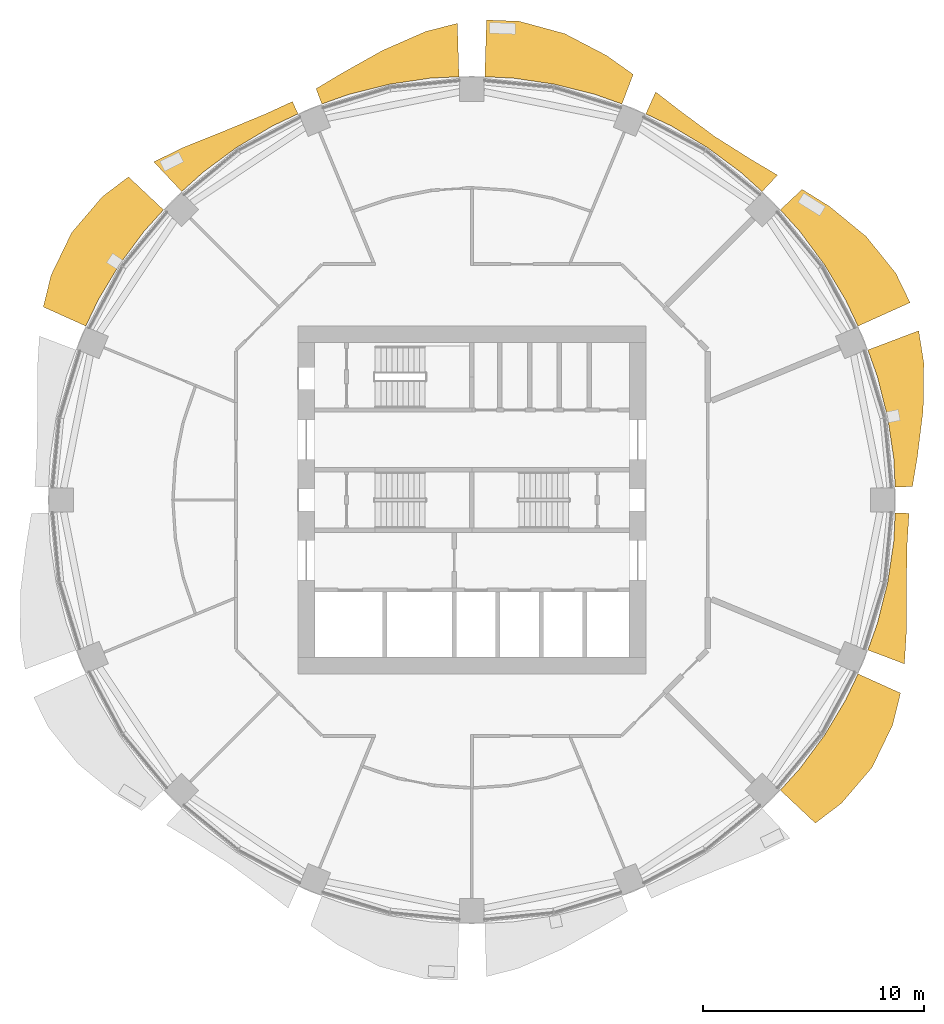
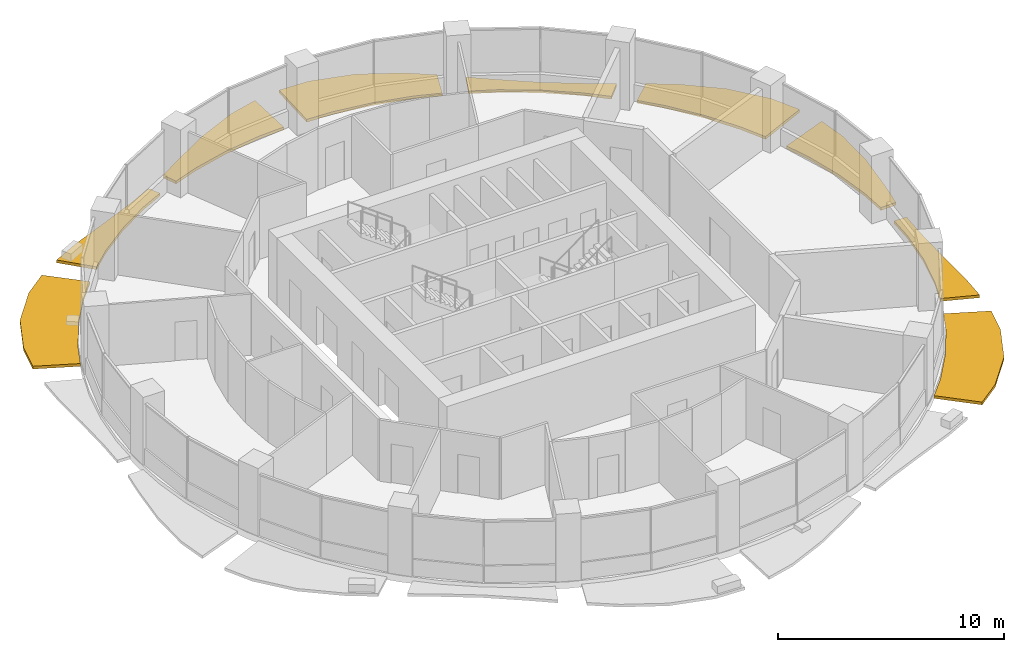
# One storey, part 13 of 14: 9 shading devices.
"""IFC4 building model written with IfcOpenShell, lengths in metres."""

from ifc_helpers import new_model, si_unit, direction, frame, origin, place, context, subcontext, project, spatial, polyline, outline, extrude, material, type_object, element, save


model = new_model("IFC4")

# Units and contexts
model_context = context("Model", 3, precision=1e-05, world=origin(), true_north=direction((0.0, 1.0)))
body_context = subcontext(model_context, "Body", "Model", "MODEL_VIEW")
ifc_project = project(units=[si_unit("LENGTHUNIT", "METRE"), si_unit("AREAUNIT", "SQUARE_METRE"), si_unit("VOLUMEUNIT", "CUBIC_METRE"), si_unit("PLANEANGLEUNIT", "RADIAN"), si_unit("MASSUNIT", "GRAM", prefix="KILO")], contexts=[model_context])

# Site, building, storey
site_placement = place(None, origin())
site = spatial("IfcSite", under=ifc_project, at=site_placement, CompositionType="ELEMENT")
building_placement = place(site_placement, origin())
building = spatial("IfcBuilding", under=site, at=building_placement, Name="Polderwave Tower", CompositionType="ELEMENT")
storey_placement = place(building_placement, frame((0.0, 0.0, 109.25)))
storey = spatial("IfcBuildingStorey", under=building, at=storey_placement, Name="L28", CompositionType="ELEMENT", Elevation=109.25)

# Shading devices
ifc_material = material(Name="Terracotta", Category="masonry")
shading_device_type = type_object("IfcShadingDeviceType", Name="Terracotta sunshade band", PredefinedType="USERDEFINED", material=ifc_material)
shading_device_1_placement = place(storey_placement, frame((0.0, 0.0, -0.35009765625)))
element("IfcShadingDevice", 1, at=shading_device_1_placement, inside=storey, type_object=shading_device_type, Name="Sunshade band L28 1", ObjectType="SUNSHADE", PredefinedType="USERDEFINED", context=body_context, shape_type="SweptSolid", body=[
    extrude(outline(polyline([(19.1513671875, 0.584228515625), (19.087646484375, 1.8798828125), (18.8115234375, 3.74169921875), (18.35400390625, 5.567626953125), (17.9169921875, 6.789306640625), (20.21728515625, 7.66064453125), (20.447998046875, 6.202880859375), (20.419677734375, 4.061767578125), (20.160400390625, 1.985595703125), (19.934326171875, 0.608154296875), (19.1513671875, 0.584228515625)])), origin(), (0.0, 0.0, 1.0), 0.150146484375),
])
shading_device_2_placement = place(storey_placement, frame((0.0, 0.0, -0.35009765625)))
element("IfcShadingDevice", 2, at=shading_device_2_placement, inside=storey, type_object=shading_device_type, Name="Sunshade band L28 2", ObjectType="SUNSHADE", PredefinedType="USERDEFINED", context=body_context, shape_type="SweptSolid", body=[
    extrude(outline(polyline([(17.469970703125, 7.86865234375), (16.915283203125, 9.04150390625), (15.947509765625, 10.65576171875), (14.826416015625, 12.167724609375), (13.955078125, 13.12890625), (14.940673828125, 14.05615234375), (16.183837890625, 13.28173828125), (17.842041015625, 11.921630859375), (19.183837890625, 10.25390625), (19.827392578125, 8.930419921875), (17.469970703125, 7.86865234375)])), origin(), (0.0, 0.0, 1.0), 0.150146484375),
])
shading_device_3_placement = place(storey_placement, frame((0.0, 0.0, -0.35009765625)))
element("IfcShadingDevice", 3, at=shading_device_3_placement, inside=storey, type_object=shading_device_type, Name="Sunshade band L28 3", ObjectType="SUNSHADE", PredefinedType="USERDEFINED", context=body_context, shape_type="SweptSolid", body=[
    extrude(outline(polyline([(13.12890625, 13.955078125), (12.167724609375, 14.826416015625), (10.65576171875, 15.947509765625), (9.04150390625, 16.915283203125), (7.86865234375, 17.469970703125), (8.31591796875, 18.463134765625), (9.414306640625, 17.613037109375), (10.989501953125, 16.447021484375), (12.6416015625, 15.40380859375), (13.829833984375, 14.7001953125), (13.12890625, 13.955078125)])), origin(), (0.0, 0.0, 1.0), 0.150146484375),
])
shading_device_4_placement = place(storey_placement, frame((0.0, 0.0, -0.35009765625)))
element("IfcShadingDevice", 4, at=shading_device_4_placement, inside=storey, type_object=shading_device_type, Name="Sunshade band L28 4", ObjectType="SUNSHADE", PredefinedType="USERDEFINED", context=body_context, shape_type="SweptSolid", body=[
    extrude(outline(polyline([(6.789306640625, 17.9169921875), (5.567626953125, 18.35400390625), (3.74169921875, 18.8115234375), (1.8798828125, 19.087646484375), (0.584228515625, 19.1513671875), (0.66259765625, 21.71923828125), (2.133544921875, 21.662841796875), (4.197265625, 21.101318359375), (6.10009765625, 20.10888671875), (7.296142578125, 19.2548828125), (6.789306640625, 17.9169921875)])), origin(), (0.0, 0.0, 1.0), 0.150146484375),
])
shading_device_5_placement = place(storey_placement, frame((0.0, 0.0, -0.35009765625)))
element("IfcShadingDevice", 5, at=shading_device_5_placement, inside=storey, type_object=shading_device_type, Name="Sunshade band L28 5", ObjectType="SUNSHADE", PredefinedType="USERDEFINED", context=body_context, shape_type="SweptSolid", body=[
    extrude(outline(polyline([(-0.584228515625, 19.1513671875), (-1.8798828125, 19.087646484375), (-3.74169921875, 18.8115234375), (-5.567626953125, 18.35400390625), (-6.789306640625, 17.9169921875), (-7.051513671875, 18.609375), (-5.861328125, 19.322509765625), (-4.046142578125, 20.341796875), (-2.087890625, 21.19970703125), (-0.657958984375, 21.56689453125), (-0.584228515625, 19.1513671875)])), origin(), (0.0, 0.0, 1.0), 0.150146484375),
])
shading_device_6_placement = place(storey_placement, frame((0.0, 0.0, -0.35009765625)))
element("IfcShadingDevice", 6, at=shading_device_6_placement, inside=storey, type_object=shading_device_type, Name="Sunshade band L28 6", ObjectType="SUNSHADE", PredefinedType="USERDEFINED", context=body_context, shape_type="SweptSolid", body=[
    extrude(outline(polyline([(-7.86865234375, 17.469970703125), (-9.04150390625, 16.915283203125), (-10.65576171875, 15.947509765625), (-12.167724609375, 14.826416015625), (-13.12890625, 13.955078125), (-14.394287109375, 15.30029296875), (-13.083740234375, 15.9423828125), (-11.167724609375, 16.7138671875), (-9.33740234375, 17.46875), (-8.12109375, 18.0302734375), (-7.86865234375, 17.469970703125)])), origin(), (0.0, 0.0, 1.0), 0.150146484375),
])
shading_device_7_placement = place(storey_placement, frame((0.0, 0.0, -0.35009765625)))
element("IfcShadingDevice", 7, at=shading_device_7_placement, inside=storey, type_object=shading_device_type, Name="Sunshade band L28 7", ObjectType="SUNSHADE", PredefinedType="USERDEFINED", context=body_context, shape_type="SweptSolid", body=[
    extrude(outline(polyline([(-13.955078125, 13.12890625), (-14.826416015625, 12.167724609375), (-15.947509765625, 10.65576171875), (-16.915283203125, 9.04150390625), (-17.469970703125, 7.86865234375), (-19.39453125, 8.735595703125), (-19.03955078125, 10.177001953125), (-18.10888671875, 12.099853515625), (-16.722412109375, 13.7236328125), (-15.540771484375, 14.620849609375), (-13.955078125, 13.12890625)])), origin(), (0.0, 0.0, 1.0), 0.150146484375),
])
shading_device_8_placement = place(storey_placement, frame((0.0, 0.0, -0.35009765625)))
element("IfcShadingDevice", 8, at=shading_device_8_placement, inside=storey, type_object=shading_device_type, Name="Sunshade band L28 15", ObjectType="SUNSHADE", PredefinedType="USERDEFINED", context=body_context, shape_type="SweptSolid", body=[
    extrude(outline(polyline([(13.955078125, -13.12890625), (14.826416015625, -12.167724609375), (15.947509765625, -10.65576171875), (16.915283203125, -9.04150390625), (17.469970703125, -7.86865234375), (19.39453125, -8.735595703125), (19.03955078125, -10.177001953125), (18.10888671875, -12.099853515625), (16.722412109375, -13.7236328125), (15.540771484375, -14.620849609375), (13.955078125, -13.12890625)])), origin(), (0.0, 0.0, 1.0), 0.150146484375),
])
shading_device_9_placement = place(storey_placement, frame((0.0, 0.0, -0.35009765625)))
element("IfcShadingDevice", 9, at=shading_device_9_placement, inside=storey, type_object=shading_device_type, Name="Sunshade band L28 16", ObjectType="SUNSHADE", PredefinedType="USERDEFINED", context=body_context, shape_type="SweptSolid", body=[
    extrude(outline(polyline([(17.9169921875, -6.789306640625), (18.35400390625, -5.567626953125), (18.8115234375, -3.74169921875), (19.087646484375, -1.8798828125), (19.1513671875, -0.584228515625), (19.781982421875, -0.603515625), (19.697021484375, -1.93994140625), (19.660400390625, -3.91064453125), (19.66162109375, -5.964111328125), (19.571533203125, -7.416015625), (17.9169921875, -6.789306640625)])), origin(), (0.0, 0.0, 1.0), 0.150146484375),
])

save(model, "model.ifc")
